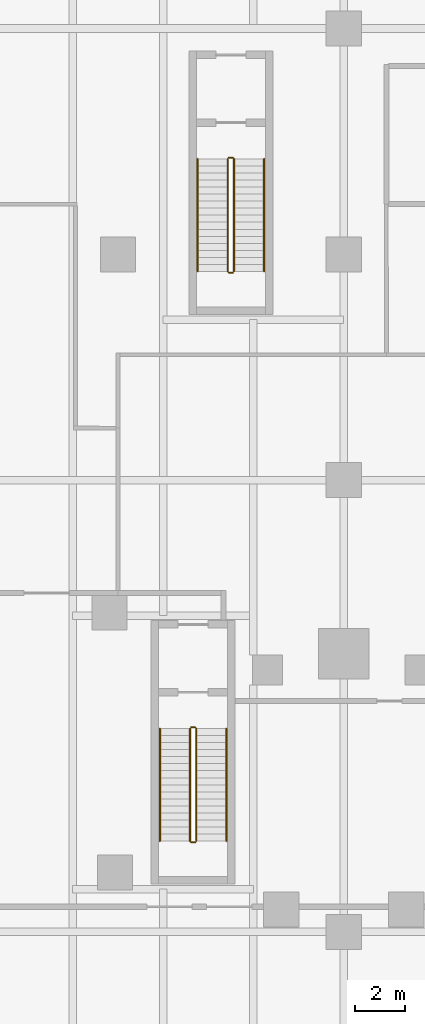
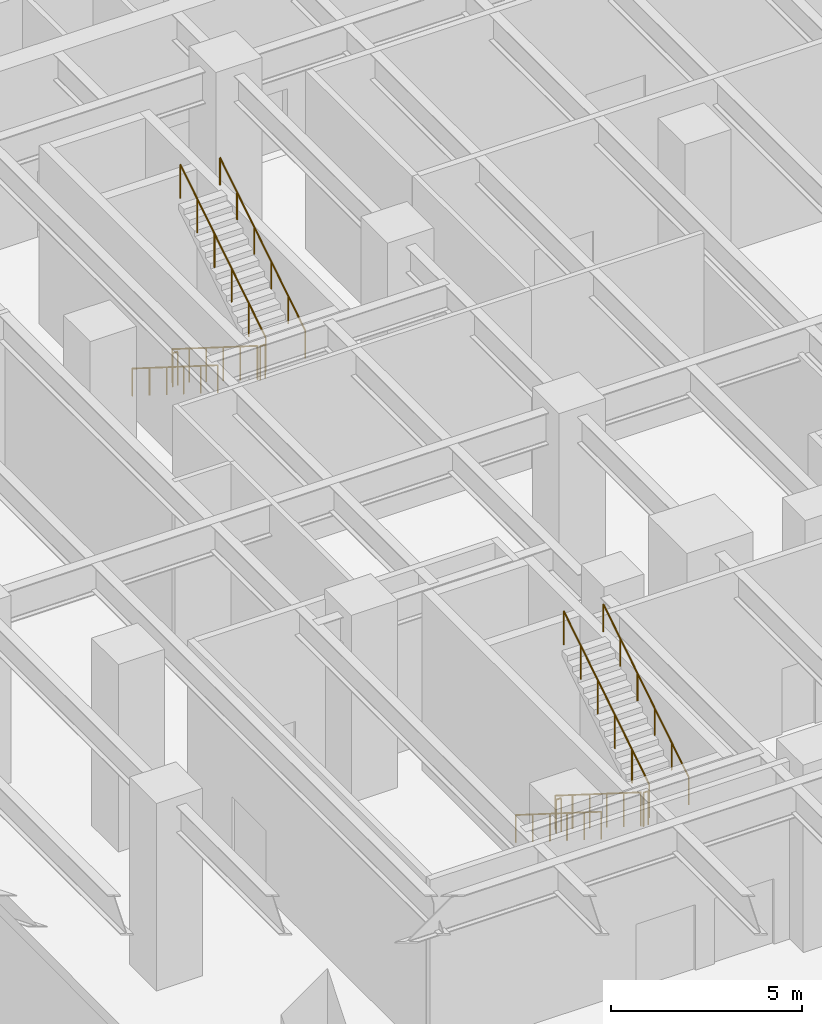
# One storey, part 36 of 37: 12 railings.
"""IFC4 building model written with IfcOpenShell, lengths in metres."""

from ifc_helpers import new_model, si_unit, direction, frame, origin, origin_2d, place, context, subcontext, project, spatial, circle, extrude, material, type_object, element, save


model = new_model("IFC4")

# Units and contexts
model_context = context("Model", 3, precision=1e-05, world=origin(), true_north=direction((0.0, 1.0)))
body_context = subcontext(model_context, "Body", "Model", "MODEL_VIEW")
ifc_project = project(units=[si_unit("LENGTHUNIT", "METRE"), si_unit("AREAUNIT", "SQUARE_METRE"), si_unit("VOLUMEUNIT", "CUBIC_METRE"), si_unit("PLANEANGLEUNIT", "RADIAN"), si_unit("MASSUNIT", "GRAM", prefix="KILO")], contexts=[model_context])

# Site, building, storey
site_placement = place(None, origin())
site = spatial("IfcSite", under=ifc_project, at=site_placement, CompositionType="ELEMENT")
building_placement = place(site_placement, origin())
building = spatial("IfcBuilding", under=site, at=building_placement, Name="Aloe Facet Convention Tower", CompositionType="ELEMENT")
storey_placement = place(building_placement, frame((0.0, 0.0, 7.5)))
storey = spatial("IfcBuildingStorey", under=building, at=storey_placement, Name="L01", CompositionType="ELEMENT", Elevation=7.5)

# Railings
ifc_material_1 = material(Name="Steel S355 balustrade", Category="steel")
railing_type_1 = type_object("IfcRailingType", Name="CR-RL-GUARD", PredefinedType="GUARDRAIL", material=ifc_material_1)
railing_1_placement = place(storey_placement, frame((73.875, 89.10009765625, 0.176513671875)))
element("IfcRailing", 1, at=railing_1_placement, inside=storey, type_object=railing_type_1, Name="L01 ST4 stair guard 1", PredefinedType="GUARDRAIL", context=body_context, shape_type="SweptSolid", body=[
    extrude(circle(Radius=0.02392578125, at=origin_2d()), frame((0.0, 0.0, 1.076171875), z_axis=(0.0, -0.845997938375, 0.533186166611), x_axis=(1.0, 0.0, 0.0)), (0.0, 0.0, 1.0), 5.29541015625),
    extrude(circle(Radius=0.02099609375, at=origin_2d()), origin(), (0.0, 0.0, 1.0), 1.052001953125),
    extrude(circle(Radius=0.02099609375, at=origin_2d()), frame((0.0, -0.89599609375, 0.564697265625)), (0.0, 0.0, 1.0), 1.052001953125),
    extrude(circle(Radius=0.02099609375, at=origin_2d()), frame((0.0, -1.7919921875, 1.12939453125)), (0.0, 0.0, 1.0), 1.052001953125),
    extrude(circle(Radius=0.02099609375, at=origin_2d()), frame((0.0, -2.68798828125, 1.694091796875)), (0.0, 0.0, 1.0), 1.052001953125),
    extrude(circle(Radius=0.02099609375, at=origin_2d()), frame((0.0, -3.583984375, 2.2587890625)), (0.0, 0.0, 1.0), 1.052001953125),
    extrude(circle(Radius=0.02099609375, at=origin_2d()), frame((0.0, -4.47998046875, 2.823486328125)), (0.0, 0.0, 1.0), 1.052001953125),
])
railing_2_placement = place(storey_placement, frame((73.925048828125, 84.570068359375, 3.0)))
element("IfcRailing", 2, at=railing_2_placement, inside=storey, type_object=railing_type_1, Name="L01 ST4 stair guard 2", PredefinedType="GUARDRAIL", context=body_context, shape_type="SweptSolid", body=[
    extrude(circle(Radius=0.02392578125, at=origin_2d()), frame((0.0, 0.0, 1.076171875), z_axis=(1.0, 0.0, 0.0), x_axis=(0.0, 1.0, 0.0)), (0.0, 0.0, 1.0), 0.14990234375),
    extrude(circle(Radius=0.02099609375, at=origin_2d()), origin(), (0.0, 0.0, 1.0), 1.052001953125),
    extrude(circle(Radius=0.02099609375, at=origin_2d()), frame((0.14990234375, 0.0, 0.0)), (0.0, 0.0, 1.0), 1.052001953125),
])
railing_3_placement = place(storey_placement, frame((74.125, 84.6201171875, 3.176513671875)))
element("IfcRailing", 3, at=railing_3_placement, inside=storey, type_object=railing_type_1, Name="L01 ST4 stair guard 3", PredefinedType="GUARDRAIL", context=body_context, shape_type="SweptSolid", body=[
    extrude(circle(Radius=0.02392578125, at=origin_2d()), frame((0.0, 0.0, 1.076171875), z_axis=(0.0, 0.845997938375, 0.533186166611), x_axis=(-1.0, 0.0, 0.0)), (0.0, 0.0, 1.0), 5.29541015625),
    extrude(circle(Radius=0.02099609375, at=origin_2d()), origin(), (0.0, 0.0, 1.0), 1.052001953125),
    extrude(circle(Radius=0.02099609375, at=origin_2d()), frame((0.0, 0.89599609375, 0.564697265625)), (0.0, 0.0, 1.0), 1.052001953125),
    extrude(circle(Radius=0.02099609375, at=origin_2d()), frame((0.0, 1.7919921875, 1.12939453125)), (0.0, 0.0, 1.0), 1.052001953125),
    extrude(circle(Radius=0.02099609375, at=origin_2d()), frame((0.0, 2.68798828125, 1.694091796875)), (0.0, 0.0, 1.0), 1.052001953125),
    extrude(circle(Radius=0.02099609375, at=origin_2d()), frame((0.0, 3.583984375, 2.2587890625)), (0.0, 0.0, 1.0), 1.052001953125),
    extrude(circle(Radius=0.02099609375, at=origin_2d()), frame((0.0, 4.47998046875, 2.823486328125)), (0.0, 0.0, 1.0), 1.052001953125),
])
railing_4_placement = place(storey_placement, frame((73.925048828125, 89.14990234375, 0.0)))
element("IfcRailing", 4, at=railing_4_placement, inside=storey, type_object=railing_type_1, Name="L01 ST4 stair guard 4", PredefinedType="GUARDRAIL", context=body_context, shape_type="SweptSolid", body=[
    extrude(circle(Radius=0.02392578125, at=origin_2d()), frame((0.0, 0.0, 1.076171875), z_axis=(1.0, 0.0, 0.0), x_axis=(0.0, 1.0, 0.0)), (0.0, 0.0, 1.0), 0.14990234375),
    extrude(circle(Radius=0.02099609375, at=origin_2d()), origin(), (0.0, 0.0, 1.0), 1.052001953125),
    extrude(circle(Radius=0.02099609375, at=origin_2d()), frame((0.14990234375, 0.0, 0.0)), (0.0, 0.0, 1.0), 1.052001953125),
])
railing_5_placement = place(storey_placement, frame((75.375, 111.800048828125, 0.176513671875)))
element("IfcRailing", 5, at=railing_5_placement, inside=storey, type_object=railing_type_1, Name="L01 ST5 stair guard 1", PredefinedType="GUARDRAIL", context=body_context, shape_type="SweptSolid", body=[
    extrude(circle(Radius=0.02392578125, at=origin_2d()), frame((0.0, 0.0, 1.076171875), z_axis=(0.0, -0.845997938375, 0.533186166611), x_axis=(1.0, 0.0, 0.0)), (0.0, 0.0, 1.0), 5.29541015625),
    extrude(circle(Radius=0.02099609375, at=origin_2d()), origin(), (0.0, 0.0, 1.0), 1.052001953125),
    extrude(circle(Radius=0.02099609375, at=origin_2d()), frame((0.0, -0.89599609375, 0.564697265625)), (0.0, 0.0, 1.0), 1.052001953125),
    extrude(circle(Radius=0.02099609375, at=origin_2d()), frame((0.0, -1.7919921875, 1.12939453125)), (0.0, 0.0, 1.0), 1.052001953125),
    extrude(circle(Radius=0.02099609375, at=origin_2d()), frame((0.0, -2.68798828125, 1.694091796875)), (0.0, 0.0, 1.0), 1.052001953125),
    extrude(circle(Radius=0.02099609375, at=origin_2d()), frame((0.0, -3.583984375, 2.2587890625)), (0.0, 0.0, 1.0), 1.052001953125),
    extrude(circle(Radius=0.02099609375, at=origin_2d()), frame((0.0, -4.47998046875, 2.823486328125)), (0.0, 0.0, 1.0), 1.052001953125),
])
railing_6_placement = place(storey_placement, frame((75.425048828125, 107.27001953125, 3.0)))
element("IfcRailing", 6, at=railing_6_placement, inside=storey, type_object=railing_type_1, Name="L01 ST5 stair guard 2", PredefinedType="GUARDRAIL", context=body_context, shape_type="SweptSolid", body=[
    extrude(circle(Radius=0.02392578125, at=origin_2d()), frame((0.0, 0.0, 1.076171875), z_axis=(1.0, 0.0, 0.0), x_axis=(0.0, 1.0, 0.0)), (0.0, 0.0, 1.0), 0.14990234375),
    extrude(circle(Radius=0.02099609375, at=origin_2d()), origin(), (0.0, 0.0, 1.0), 1.052001953125),
    extrude(circle(Radius=0.02099609375, at=origin_2d()), frame((0.14990234375, 0.0, 0.0)), (0.0, 0.0, 1.0), 1.052001953125),
])
railing_7_placement = place(storey_placement, frame((75.625, 107.320068359375, 3.176513671875)))
element("IfcRailing", 7, at=railing_7_placement, inside=storey, type_object=railing_type_1, Name="L01 ST5 stair guard 3", PredefinedType="GUARDRAIL", context=body_context, shape_type="SweptSolid", body=[
    extrude(circle(Radius=0.02392578125, at=origin_2d()), frame((0.0, 0.0, 1.076171875), z_axis=(0.0, 0.845997938375, 0.533186166611), x_axis=(-1.0, 0.0, 0.0)), (0.0, 0.0, 1.0), 5.29541015625),
    extrude(circle(Radius=0.02099609375, at=origin_2d()), origin(), (0.0, 0.0, 1.0), 1.052001953125),
    extrude(circle(Radius=0.02099609375, at=origin_2d()), frame((0.0, 0.89599609375, 0.564697265625)), (0.0, 0.0, 1.0), 1.052001953125),
    extrude(circle(Radius=0.02099609375, at=origin_2d()), frame((0.0, 1.7919921875, 1.12939453125)), (0.0, 0.0, 1.0), 1.052001953125),
    extrude(circle(Radius=0.02099609375, at=origin_2d()), frame((0.0, 2.68798828125, 1.694091796875)), (0.0, 0.0, 1.0), 1.052001953125),
    extrude(circle(Radius=0.02099609375, at=origin_2d()), frame((0.0, 3.583984375, 2.2587890625)), (0.0, 0.0, 1.0), 1.052001953125),
    extrude(circle(Radius=0.02099609375, at=origin_2d()), frame((0.0, 4.47998046875, 2.823486328125)), (0.0, 0.0, 1.0), 1.052001953125),
])
railing_8_placement = place(storey_placement, frame((75.425048828125, 111.85009765625, 0.0)))
element("IfcRailing", 8, at=railing_8_placement, inside=storey, type_object=railing_type_1, Name="L01 ST5 stair guard 4", PredefinedType="GUARDRAIL", context=body_context, shape_type="SweptSolid", body=[
    extrude(circle(Radius=0.02392578125, at=origin_2d()), frame((0.0, 0.0, 1.076171875), z_axis=(1.0, 0.0, 0.0), x_axis=(0.0, 1.0, 0.0)), (0.0, 0.0, 1.0), 0.14990234375),
    extrude(circle(Radius=0.02099609375, at=origin_2d()), origin(), (0.0, 0.0, 1.0), 1.052001953125),
    extrude(circle(Radius=0.02099609375, at=origin_2d()), frame((0.14990234375, 0.0, 0.0)), (0.0, 0.0, 1.0), 1.052001953125),
])
ifc_material_2 = material(Name="Steel S355 handrail", Category="steel")
railing_type_2 = type_object("IfcRailingType", Name="CR-RL-HAND", PredefinedType="HANDRAIL", material=ifc_material_2)
railing_9_placement = place(storey_placement, frame((72.675048828125, 89.10009765625, 0.176513671875)))
element("IfcRailing", 9, at=railing_9_placement, inside=storey, type_object=railing_type_2, Name="L01 ST4 stair handrail 1", PredefinedType="HANDRAIL", context=body_context, shape_type="SweptSolid", body=[
    extrude(circle(Radius=0.02392578125, at=origin_2d()), frame((0.0, 0.0, 0.8759765625), z_axis=(0.0, -0.845997938375, 0.533186166611), x_axis=(1.0, 0.0, 0.0)), (0.0, 0.0, 1.0), 5.29541015625),
    extrude(circle(Radius=0.02099609375, at=origin_2d()), origin(), (0.0, 0.0, 1.0), 0.851806640625),
    extrude(circle(Radius=0.02099609375, at=origin_2d()), frame((0.0, -0.89599609375, 0.564697265625)), (0.0, 0.0, 1.0), 0.851806640625),
    extrude(circle(Radius=0.02099609375, at=origin_2d()), frame((0.0, -1.7919921875, 1.12939453125)), (0.0, 0.0, 1.0), 0.851806640625),
    extrude(circle(Radius=0.02099609375, at=origin_2d()), frame((0.0, -2.68798828125, 1.694091796875)), (0.0, 0.0, 1.0), 0.851806640625),
    extrude(circle(Radius=0.02099609375, at=origin_2d()), frame((0.0, -3.583984375, 2.2587890625)), (0.0, 0.0, 1.0), 0.851806640625),
    extrude(circle(Radius=0.02099609375, at=origin_2d()), frame((0.0, -4.47998046875, 2.823486328125)), (0.0, 0.0, 1.0), 0.851806640625),
])
railing_10_placement = place(storey_placement, frame((75.324951171875, 84.6201171875, 3.176513671875)))
element("IfcRailing", 10, at=railing_10_placement, inside=storey, type_object=railing_type_2, Name="L01 ST4 stair handrail 2", PredefinedType="HANDRAIL", context=body_context, shape_type="SweptSolid", body=[
    extrude(circle(Radius=0.02392578125, at=origin_2d()), frame((0.0, 0.0, 0.8759765625), z_axis=(0.0, 0.845997938375, 0.533186166611), x_axis=(-1.0, 0.0, 0.0)), (0.0, 0.0, 1.0), 5.29541015625),
    extrude(circle(Radius=0.02099609375, at=origin_2d()), origin(), (0.0, 0.0, 1.0), 0.851806640625),
    extrude(circle(Radius=0.02099609375, at=origin_2d()), frame((0.0, 0.89599609375, 0.564697265625)), (0.0, 0.0, 1.0), 0.851806640625),
    extrude(circle(Radius=0.02099609375, at=origin_2d()), frame((0.0, 1.7919921875, 1.12939453125)), (0.0, 0.0, 1.0), 0.851806640625),
    extrude(circle(Radius=0.02099609375, at=origin_2d()), frame((0.0, 2.68798828125, 1.694091796875)), (0.0, 0.0, 1.0), 0.851806640625),
    extrude(circle(Radius=0.02099609375, at=origin_2d()), frame((0.0, 3.583984375, 2.2587890625)), (0.0, 0.0, 1.0), 0.851806640625),
    extrude(circle(Radius=0.02099609375, at=origin_2d()), frame((0.0, 4.47998046875, 2.823486328125)), (0.0, 0.0, 1.0), 0.851806640625),
])
railing_11_placement = place(storey_placement, frame((74.175048828125, 111.800048828125, 0.176513671875)))
element("IfcRailing", 11, at=railing_11_placement, inside=storey, type_object=railing_type_2, Name="L01 ST5 stair handrail 1", PredefinedType="HANDRAIL", context=body_context, shape_type="SweptSolid", body=[
    extrude(circle(Radius=0.02392578125, at=origin_2d()), frame((0.0, 0.0, 0.8759765625), z_axis=(0.0, -0.845997938375, 0.533186166611), x_axis=(1.0, 0.0, 0.0)), (0.0, 0.0, 1.0), 5.29541015625),
    extrude(circle(Radius=0.02099609375, at=origin_2d()), origin(), (0.0, 0.0, 1.0), 0.851806640625),
    extrude(circle(Radius=0.02099609375, at=origin_2d()), frame((0.0, -0.89599609375, 0.564697265625)), (0.0, 0.0, 1.0), 0.851806640625),
    extrude(circle(Radius=0.02099609375, at=origin_2d()), frame((0.0, -1.7919921875, 1.12939453125)), (0.0, 0.0, 1.0), 0.851806640625),
    extrude(circle(Radius=0.02099609375, at=origin_2d()), frame((0.0, -2.68798828125, 1.694091796875)), (0.0, 0.0, 1.0), 0.851806640625),
    extrude(circle(Radius=0.02099609375, at=origin_2d()), frame((0.0, -3.583984375, 2.2587890625)), (0.0, 0.0, 1.0), 0.851806640625),
    extrude(circle(Radius=0.02099609375, at=origin_2d()), frame((0.0, -4.47998046875, 2.823486328125)), (0.0, 0.0, 1.0), 0.851806640625),
])
railing_12_placement = place(storey_placement, frame((76.824951171875, 107.320068359375, 3.176513671875)))
element("IfcRailing", 12, at=railing_12_placement, inside=storey, type_object=railing_type_2, Name="L01 ST5 stair handrail 2", PredefinedType="HANDRAIL", context=body_context, shape_type="SweptSolid", body=[
    extrude(circle(Radius=0.02392578125, at=origin_2d()), frame((0.0, 0.0, 0.8759765625), z_axis=(0.0, 0.845997938375, 0.533186166611), x_axis=(-1.0, 0.0, 0.0)), (0.0, 0.0, 1.0), 5.29541015625),
    extrude(circle(Radius=0.02099609375, at=origin_2d()), origin(), (0.0, 0.0, 1.0), 0.851806640625),
    extrude(circle(Radius=0.02099609375, at=origin_2d()), frame((0.0, 0.89599609375, 0.564697265625)), (0.0, 0.0, 1.0), 0.851806640625),
    extrude(circle(Radius=0.02099609375, at=origin_2d()), frame((0.0, 1.7919921875, 1.12939453125)), (0.0, 0.0, 1.0), 0.851806640625),
    extrude(circle(Radius=0.02099609375, at=origin_2d()), frame((0.0, 2.68798828125, 1.694091796875)), (0.0, 0.0, 1.0), 0.851806640625),
    extrude(circle(Radius=0.02099609375, at=origin_2d()), frame((0.0, 3.583984375, 2.2587890625)), (0.0, 0.0, 1.0), 0.851806640625),
    extrude(circle(Radius=0.02099609375, at=origin_2d()), frame((0.0, 4.47998046875, 2.823486328125)), (0.0, 0.0, 1.0), 0.851806640625),
])

save(model, "model.ifc")
